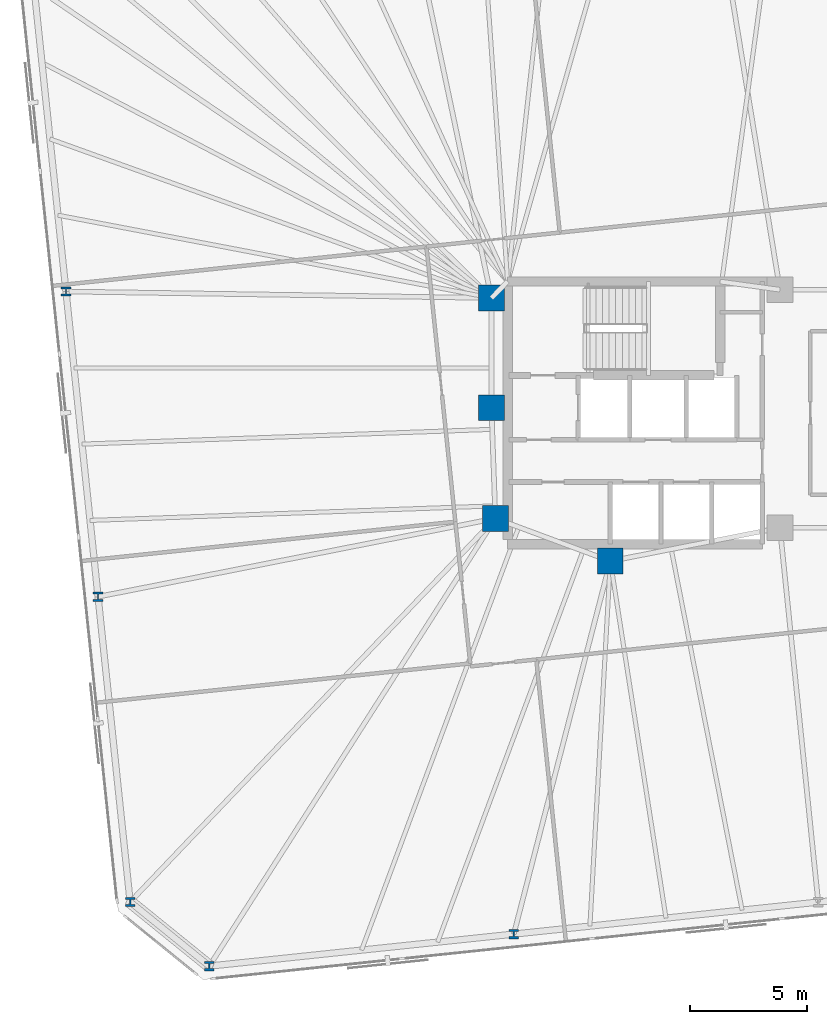
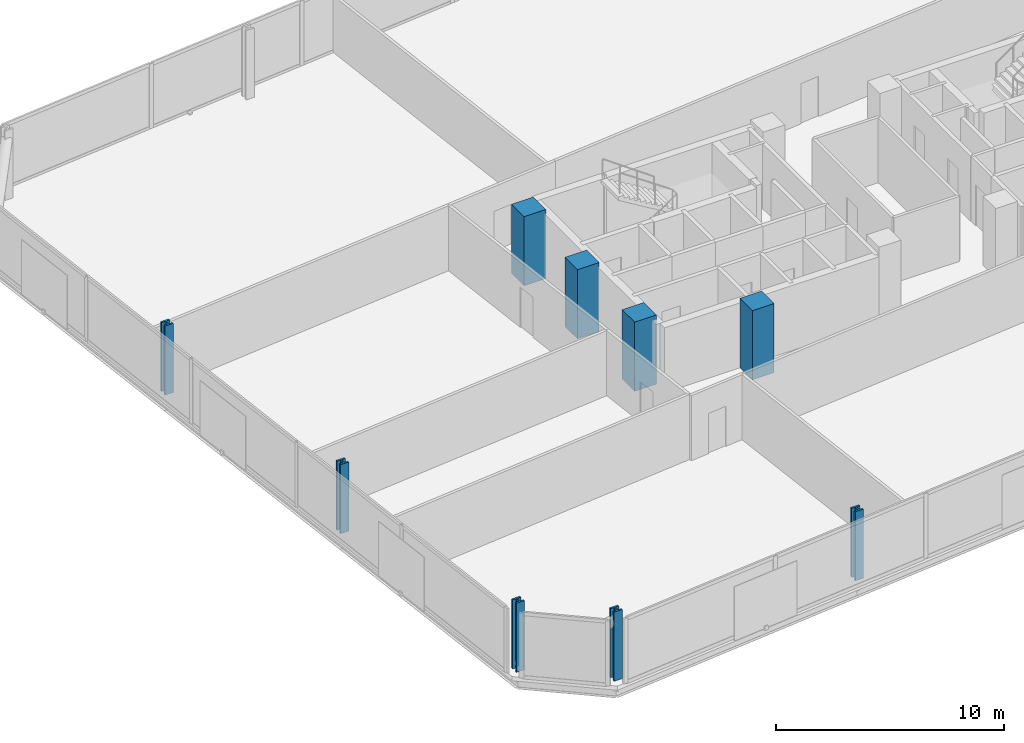
# One storey, part 1 of 18: 9 columns.
"""IFC4 building model written with IfcOpenShell, lengths in metres."""

from ifc_helpers import new_model, si_unit, direction, frame, origin, origin_2d, place, context, subcontext, project, spatial, rectangle, i_section, extrude, material, material_profile, profile_set, type_object, element, save


model = new_model("IFC4")

# Units and contexts
model_context = context("Model", 3, precision=1e-05, world=origin(), true_north=direction((0.0, 1.0)))
body_context = subcontext(model_context, "Body", "Model", "MODEL_VIEW")
ifc_project = project(units=[si_unit("LENGTHUNIT", "METRE"), si_unit("AREAUNIT", "SQUARE_METRE"), si_unit("VOLUMEUNIT", "CUBIC_METRE"), si_unit("PLANEANGLEUNIT", "RADIAN"), si_unit("MASSUNIT", "GRAM", prefix="KILO")], contexts=[model_context])

# Site, building, storey
site_placement = place(None, origin())
site = spatial("IfcSite", under=ifc_project, at=site_placement, CompositionType="ELEMENT")
building_placement = place(site_placement, origin())
building = spatial("IfcBuilding", under=site, at=building_placement, Name="Menara Jurai Vektor", CompositionType="ELEMENT")
storey_placement = place(building_placement, frame((0.0, 0.0, 91.10009765625)))
storey = spatial("IfcBuildingStorey", under=building, at=storey_placement, Name="L22", CompositionType="ELEMENT", Elevation=91.10009765625)

# Columns
ifc_material_1 = material(Name="Concrete C50/60", Category="concrete")
ifc_material_profile_1 = material_profile(ifc_material_1, rectangle(XDim=1.10009765625, YDim=1.10009765625, at=origin_2d()), Name="RC 1100x1100")
ifc_profile_set_1 = profile_set([ifc_material_profile_1], Name="Concrete C50/60")
column_type_1 = type_object("IfcColumnType", Name="STR-COL-RC1100", PredefinedType="COLUMN", material=ifc_profile_set_1)
for number, where, z_axis, x_axis, name in (
    (1, (-15.25, 4.89990234375, 0.0), (0.0, 0.0, 1.0), (1.0, 0.0, 0.0), "Core Spine Column CW-NW L22"),
    (2, (-15.25, 0.219970703125, 0.0), (0.0, 0.0, 1.0), (1.0, 0.0, 0.0), "Core Spine Column CW-WM L22"),
    (3, (-15.080078125, -4.5, 0.0), (0.0, 0.0, 1.0), (1.0, 0.0, 0.0), "Core Spine Column CW-SW L22"),
    (4, (-10.179931640625, -6.320068359375, 0.0), (0.0, 0.0, 1.0), (1.0, 0.0, 0.0), "Core Spine Column CW-SM L22"),
):
    element("IfcColumn", number, at=place(storey_placement, frame(where, z_axis=z_axis, x_axis=x_axis)), inside=storey, type_object=column_type_1, Name=name, PredefinedType="COLUMN", context=body_context, shape_type="SweptSolid", body=[
        extrude(rectangle(XDim=1.10009765625, YDim=1.10009765625, at=origin_2d()), origin(), (0.0, 0.0, 1.0), 3.699951171875),
    ])
ifc_material_2 = material(Name="Steel S460", Category="steel")
ifc_material_profile_2 = material_profile(ifc_material_2, i_section(OverallWidth=0.4130859375, OverallDepth=0.39794921875, WebThickness=0.055908203125, FlangeThickness=0.089111328125, FilletRadius=0.014892578125, at=origin_2d()), Name="HD 400x744")
ifc_profile_set_2 = profile_set([ifc_material_profile_2], Name="Steel S460")
column_type_2 = type_object("IfcColumnType", Name="STR-EXO-BLK2", PredefinedType="COLUMN", material=ifc_profile_set_2)
for number, where, z_axis, x_axis, name in (
    (5, (-27.2763671875, -23.586181640625, 0.0), (0.0, 0.0, 1.0), (1.0, 0.0, 0.0), "Exoskeleton Column BLK2-S1 L22"),
    (6, (-14.296630859375, -22.221923828125, 0.0), (0.0, 0.0, 1.0), (1.0, 0.0, 0.0), "Exoskeleton Column BLK2-S2 L22"),
    (7, (-33.388427734375, 5.175048828125, 0.0), (0.0, 0.0, 1.0), (1.0, 0.0, 0.0), "Exoskeleton Column BLK2-W2 L22"),
    (8, (-32.0205078125, -7.83837890625, 0.0), (0.0, 0.0, 1.0), (1.0, 0.0, 0.0), "Exoskeleton Column BLK2-W3 L22"),
    (9, (-30.65283203125, -20.85205078125, 0.0), (0.0, 0.0, 1.0), (1.0, 0.0, 0.0), "Exoskeleton Column BLK2-W4 L22"),
):
    element("IfcColumn", number, at=place(storey_placement, frame(where, z_axis=z_axis, x_axis=x_axis)), inside=storey, type_object=column_type_2, Name=name, PredefinedType="COLUMN", context=body_context, shape_type="SweptSolid", body=[
        extrude(i_section(OverallWidth=0.4130859375, OverallDepth=0.39794921875, WebThickness=0.055908203125, FlangeThickness=0.089111328125, FilletRadius=0.014892578125, at=origin_2d()), origin(), (0.0, 0.0, 1.0), 3.699951171875),
    ])

save(model, "model.ifc")
